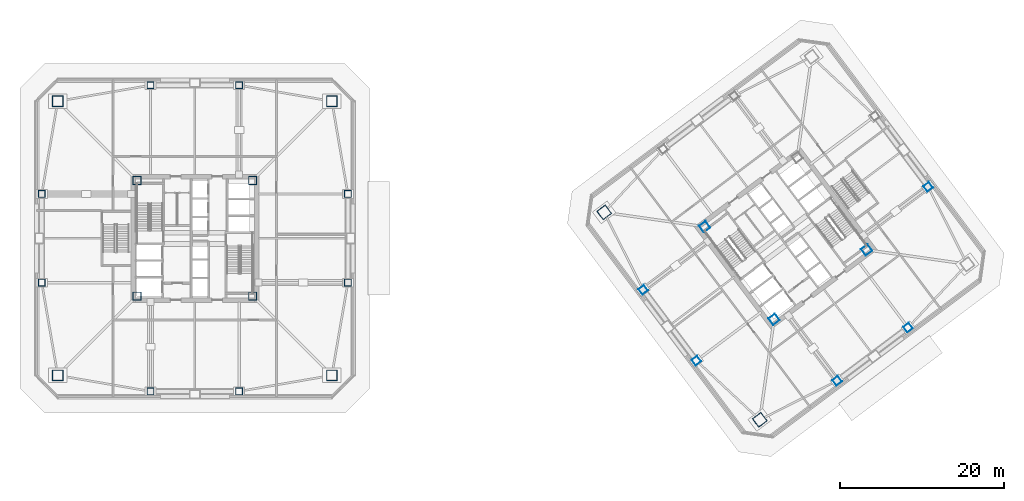
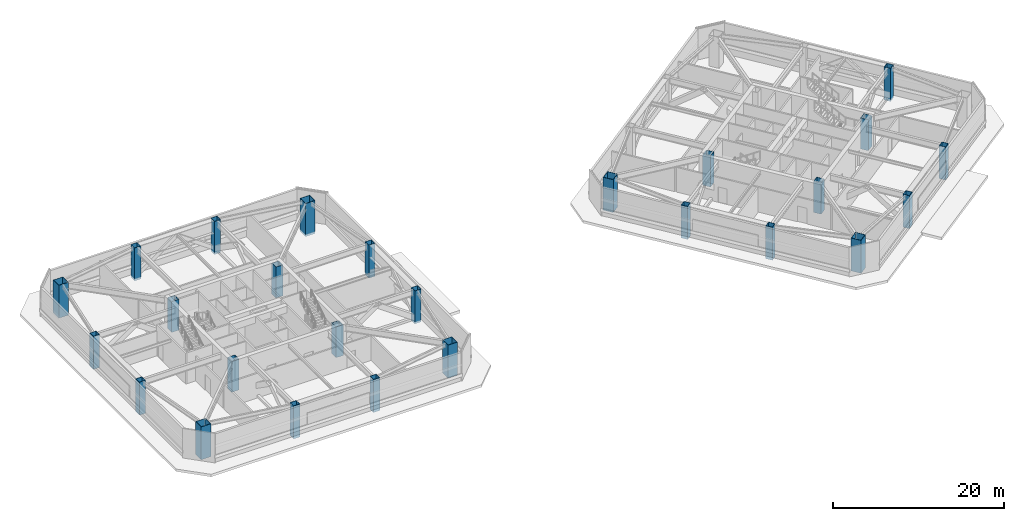
# One storey, part 1 of 15: 26 columns.
"""IFC4 building model written with IfcOpenShell, lengths in metres."""

from ifc_helpers import new_model, si_unit, direction, frame, origin, origin_2d, place, context, subcontext, project, spatial, hollow_rectangle, extrude, material, material_profile, profile_set, type_object, element, save


model = new_model("IFC4")

# Units and contexts
model_context = context("Model", 3, precision=1e-05, world=origin(), true_north=direction((0.0, 1.0)))
body_context = subcontext(model_context, "Body", "Model", "MODEL_VIEW")
ifc_project = project(units=[si_unit("LENGTHUNIT", "METRE"), si_unit("AREAUNIT", "SQUARE_METRE"), si_unit("VOLUMEUNIT", "CUBIC_METRE"), si_unit("PLANEANGLEUNIT", "RADIAN"), si_unit("MASSUNIT", "GRAM", prefix="KILO")], contexts=[model_context])

# Site, building, storey
site_placement = place(None, origin())
site = spatial("IfcSite", under=ifc_project, at=site_placement, CompositionType="ELEMENT")
building_placement = place(site_placement, origin())
building = spatial("IfcBuilding", under=site, at=building_placement, Name="Tashvorn Skyway Center", CompositionType="ELEMENT")
storey_placement = place(building_placement, frame((0.0, 0.0, 109.800048828125)))
storey = spatial("IfcBuildingStorey", under=building, at=storey_placement, Name="L29", CompositionType="ELEMENT", Elevation=109.800048828125)

# Columns
ifc_material = material(Name="Steel ASTM A572 Grade 50", Category="steel")
ifc_material_profile_1 = material_profile(ifc_material, hollow_rectangle(XDim=1.0, YDim=1.0, WallThickness=0.0400390625, at=origin_2d()), Name="BOX1000x1000x40")
ifc_profile_set_1 = profile_set([ifc_material_profile_1], Name="Steel ASTM A572 Grade 50")
column_type_1 = type_object("IfcColumnType", Name="COL-BOX1000x1000x40", PredefinedType="COLUMN", material=ifc_profile_set_1)
for number, where, z_axis, x_axis, name in (
    (1, (34.949951171875, 24.949951171875, 0.0), (0.0, 0.0, 1.0), (1.0, 0.0, 0.0), "Tower 1 L29 Core Corner Column CC-SW"),
    (2, (49.050048828125, 24.949951171875, 0.0), (0.0, 0.0, 1.0), (1.0, 0.0, 0.0), "Tower 1 L29 Core Corner Column CC-SE"),
    (3, (49.050048828125, 39.050048828125, 0.0), (0.0, 0.0, 1.0), (1.0, 0.0, 0.0), "Tower 1 L29 Core Corner Column CC-NE"),
    (4, (34.949951171875, 39.050048828125, 0.0), (0.0, 0.0, 1.0), (1.0, 0.0, 0.0), "Tower 1 L29 Core Corner Column CC-NW"),
    (5, (112.590087890625, 22.1298828125, 0.0), (0.0, 0.0, 1.0), (0.799999996291, 0.600000004945, 0.0), "Tower 2 L29 Core Corner Column CC-SW"),
    (6, (123.8701171875, 30.590087890625, 0.0), (0.0, 0.0, 1.0), (0.799999996291, 0.600000004945, 0.0), "Tower 2 L29 Core Corner Column CC-SE"),
    (7, (104.1298828125, 33.409912109375, 0.0), (0.0, 0.0, 1.0), (0.799999996291, 0.600000004945, 0.0), "Tower 2 L29 Core Corner Column CC-NW"),
):
    element("IfcColumn", number, at=place(storey_placement, frame(where, z_axis=z_axis, x_axis=x_axis)), inside=storey, type_object=column_type_1, Name=name, PredefinedType="COLUMN", context=body_context, shape_type="SweptSolid", body=[
        extrude(hollow_rectangle(XDim=1.0, YDim=1.0, WallThickness=0.0400390625, at=origin_2d()), origin(), (0.0, 0.0, 1.0), 4.419921875),
    ])
ifc_material_profile_2 = material_profile(ifc_material, hollow_rectangle(XDim=1.300048828125, YDim=1.300048828125, WallThickness=0.050048828125, at=origin_2d()), Name="BOX1300x1300x50")
ifc_profile_set_2 = profile_set([ifc_material_profile_2], Name="Steel ASTM A572 Grade 50")
column_type_2 = type_object("IfcColumnType", Name="COL-BOX1300x1300x50", PredefinedType="COLUMN", material=ifc_profile_set_2)
for number, where, z_axis, x_axis, name in (
    (8, (25.300048828125, 15.300048828125, -0.295166015625), (0.0, 0.0, 1.0), (1.0, 0.0, 0.0), "Tower 1 L29 Mega-Column MC-SW"),
    (9, (58.699951171875, 15.300048828125, -0.295166015625), (0.0, 0.0, 1.0), (1.0, 0.0, 0.0), "Tower 1 L29 Mega-Column MC-SE"),
    (10, (58.699951171875, 48.699951171875, -0.295166015625), (0.0, 0.0, 1.0), (1.0, 0.0, 0.0), "Tower 1 L29 Mega-Column MC-NE"),
    (11, (25.300048828125, 48.699951171875, -0.295166015625), (0.0, 0.0, 1.0), (1.0, 0.0, 0.0), "Tower 1 L29 Mega-Column MC-NW"),
    (12, (110.840087890625, 9.8798828125, -0.295166015625), (0.0, 0.0, 1.0), (0.799999996291, 0.600000004945, 0.0), "Tower 2 L29 Mega-Column MC-SW"),
    (13, (91.8798828125, 35.159912109375, -0.295166015625), (0.0, 0.0, 1.0), (0.799999996291, 0.600000004945, 0.0), "Tower 2 L29 Mega-Column MC-NW"),
):
    element("IfcColumn", number, at=place(storey_placement, frame(where, z_axis=z_axis, x_axis=x_axis)), inside=storey, type_object=column_type_2, Name=name, PredefinedType="COLUMN", context=body_context, shape_type="SweptSolid", body=[
        extrude(hollow_rectangle(XDim=1.300048828125, YDim=1.300048828125, WallThickness=0.050048828125, at=origin_2d()), origin(), (0.0, 0.0, 1.0), 4.715087890625),
    ])
ifc_material_profile_3 = material_profile(ifc_material, hollow_rectangle(XDim=0.85009765625, YDim=0.85009765625, WallThickness=0.034912109375, at=origin_2d()), Name="BOX850x850x35")
ifc_profile_set_3 = profile_set([ifc_material_profile_3], Name="Steel ASTM A572 Grade 50")
column_type_3 = type_object("IfcColumnType", Name="COL-BOX850x850x35", PredefinedType="COLUMN", material=ifc_profile_set_3)
for number, where, z_axis, x_axis, name in (
    (14, (36.60009765625, 13.35009765625, -0.295166015625), (0.0, 0.0, 1.0), (1.0, 0.0, 0.0), "Tower 1 L29 Perimeter Column FC-S1"),
    (15, (47.39990234375, 13.35009765625, -0.295166015625), (0.0, 0.0, 1.0), (1.0, 0.0, 0.0), "Tower 1 L29 Perimeter Column FC-S2"),
    (16, (60.64990234375, 26.60009765625, -0.295166015625), (0.0, 0.0, 1.0), (1.0, 0.0, 0.0), "Tower 1 L29 Perimeter Column FC-E1"),
    (17, (60.64990234375, 37.39990234375, -0.295166015625), (0.0, 0.0, 1.0), (1.0, 0.0, 0.0), "Tower 1 L29 Perimeter Column FC-E2"),
    (18, (47.39990234375, 50.64990234375, -0.295166015625), (0.0, 0.0, 1.0), (1.0, 0.0, 0.0), "Tower 1 L29 Perimeter Column FC-N1"),
    (19, (36.60009765625, 50.64990234375, -0.295166015625), (0.0, 0.0, 1.0), (1.0, 0.0, 0.0), "Tower 1 L29 Perimeter Column FC-N2"),
    (20, (23.35009765625, 37.39990234375, -0.295166015625), (0.0, 0.0, 1.0), (1.0, 0.0, 0.0), "Tower 1 L29 Perimeter Column FC-W1"),
    (21, (23.35009765625, 26.60009765625, -0.295166015625), (0.0, 0.0, 1.0), (1.0, 0.0, 0.0), "Tower 1 L29 Perimeter Column FC-W2"),
    (22, (120.27001953125, 14.639892578125, -0.295166015625), (0.0, 0.0, 1.0), (0.799999996291, 0.600000004945, 0.0), "Tower 2 L29 Perimeter Column FC-S1"),
    (23, (128.909912109375, 21.1201171875, -0.295166015625), (0.0, 0.0, 1.0), (0.799999996291, 0.600000004945, 0.0), "Tower 2 L29 Perimeter Column FC-S2"),
    (24, (131.360107421875, 38.27001953125, -0.295166015625), (0.0, 0.0, 1.0), (0.799999996291, 0.600000004945, 0.0), "Tower 2 L29 Perimeter Column FC-E1"),
    (25, (96.639892578125, 25.72998046875, -0.295166015625), (0.0, 0.0, 1.0), (0.799999996291, 0.600000004945, 0.0), "Tower 2 L29 Perimeter Column FC-W1"),
    (26, (103.1201171875, 17.090087890625, -0.295166015625), (0.0, 0.0, 1.0), (0.799999996291, 0.600000004945, 0.0), "Tower 2 L29 Perimeter Column FC-W2"),
):
    element("IfcColumn", number, at=place(storey_placement, frame(where, z_axis=z_axis, x_axis=x_axis)), inside=storey, type_object=column_type_3, Name=name, PredefinedType="COLUMN", context=body_context, shape_type="SweptSolid", body=[
        extrude(hollow_rectangle(XDim=0.85009765625, YDim=0.85009765625, WallThickness=0.034912109375, at=origin_2d()), origin(), (0.0, 0.0, 1.0), 4.715087890625),
    ])

save(model, "model.ifc")
